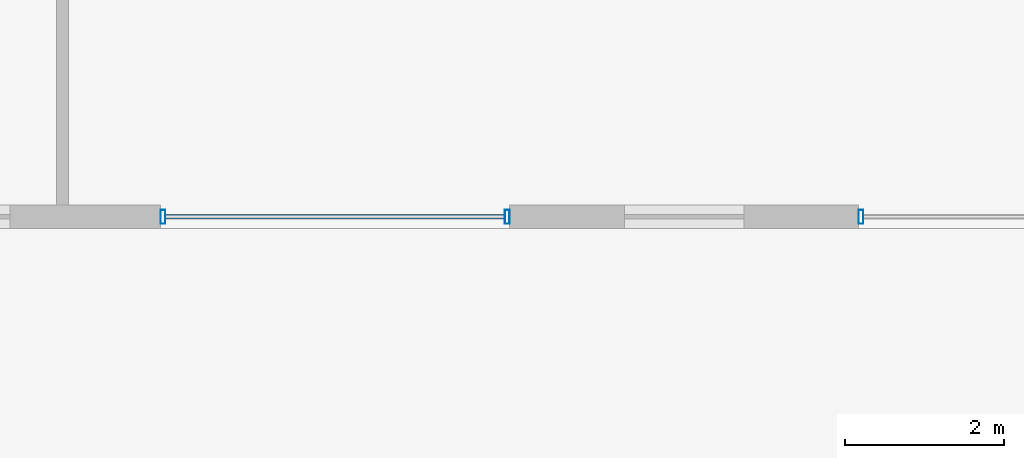
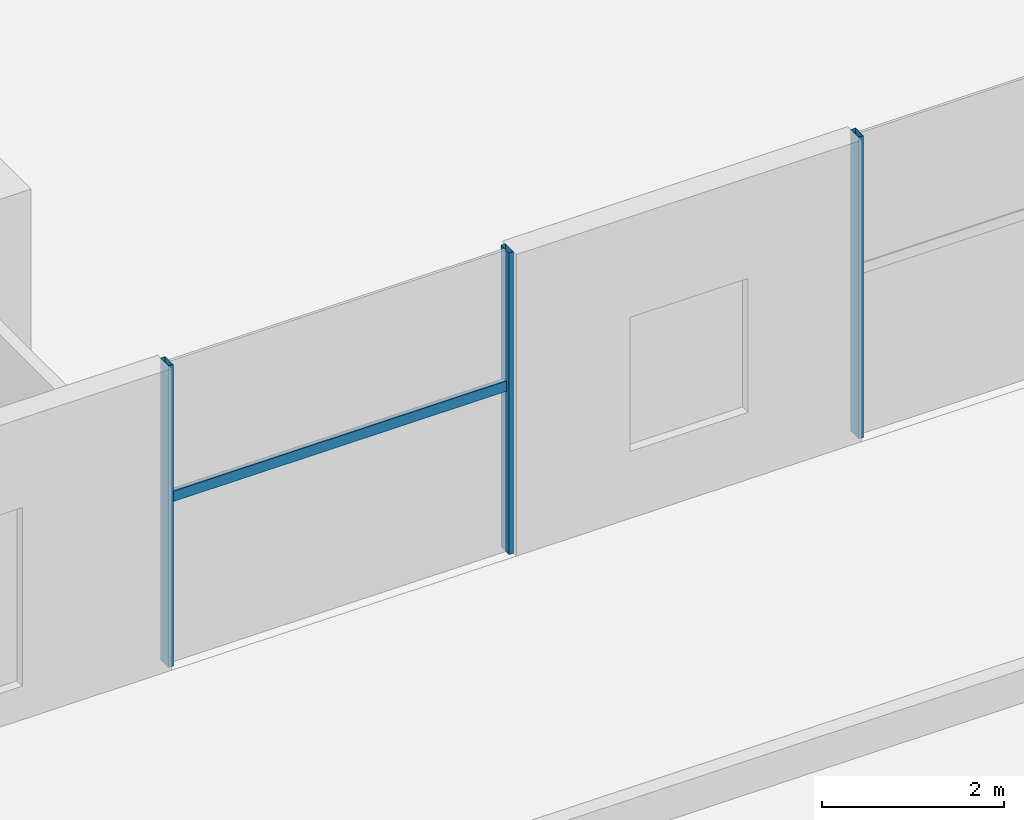
# One storey, part 5 of 26: 4 members, 2 elements without a shape of their own.
"""IFC4 building model written with IfcOpenShell, lengths in metres."""

import ifcopenshell
import ifcopenshell.guid

model = None  # the IFC model being written
_history = None  # IfcOwnerHistory: only IFC2X3 demands one
_inside = {}  # id of a spatial element -> (the spatial element, [elements in it])
_under = {}  # id of a project, library or spatial element -> (it, [spatial elements below it])
_declared = {}  # id of a project -> (the project, [libraries it declares])
_typed = {}  # id of a type object -> (the type object, [elements of that type])
_made_of = {}  # id of a material, layer set ... -> (it, [elements and type objects made of it])


def new_model(schema):
    """Start an empty IFC model of exactly this schema.

    Asked for "IFC4X3", IfcOpenShell would pick the latest addendum, in which some entities
    have other attributes; the version numbers below select the first issue.
    IFC2X3 requires an IfcOwnerHistory on every rooted entity: one is made here for all.
    """
    global model, _history
    if schema == "IFC4X3":
        model = ifcopenshell.file(schema_version=(4, 3, 0, 0))
    else:
        model = ifcopenshell.file(schema=schema)
    _inside.clear()
    _under.clear()
    _declared.clear()
    _typed.clear()
    _made_of.clear()
    _history = None
    if model.schema == "IFC2X3":
        org = make("IfcOrganization", Name="unknown")
        user = make(
            "IfcPersonAndOrganization",
            ThePerson=make("IfcPerson", FamilyName="unknown"),
            TheOrganization=org,
        )
        app = make(
            "IfcApplication",
            ApplicationDeveloper=org,
            Version="unknown",
            ApplicationFullName="unknown",
            ApplicationIdentifier="unknown",
        )
        _history = make(
            "IfcOwnerHistory",
            OwningUser=user,
            OwningApplication=app,
            ChangeAction="ADDED",
            CreationDate=0,
        )
    return model


def make(cls, **values):
    """One entity of the class cls with the attributes given. An attribute that is None is left unset."""
    return model.create_entity(
        cls, **{name: value for name, value in values.items() if value is not None}
    )


def rooted(cls, **values):
    """An entity with a GlobalId (a new one), such as an element, a storey or a relation."""
    return make(cls, GlobalId=ifcopenshell.guid.new(), OwnerHistory=_history, **values)


def si_unit(unit_type, name, prefix=None):
    """IfcSIUnit, for example si_unit("LENGTHUNIT", "METRE", prefix="MILLI")."""
    return make("IfcSIUnit", UnitType=unit_type, Prefix=prefix, Name=name)


def assignment(units):
    """IfcUnitAssignment: the units of a project."""
    return None if units is None else make("IfcUnitAssignment", Units=units)


def point(xyz):
    """IfcCartesianPoint."""
    return None if xyz is None else make("IfcCartesianPoint", Coordinates=xyz)


def direction(xyz):
    """IfcDirection."""
    return None if xyz is None else make("IfcDirection", DirectionRatios=xyz)


def frame(location, z_axis=None, x_axis=None):
    """IfcAxis2Placement3D, a coordinate frame: its origin and axes. An axis left out is left unset."""
    return make(
        "IfcAxis2Placement3D",
        Location=point(location),
        Axis=direction(z_axis),
        RefDirection=direction(x_axis),
    )


def frame_2d(location, x_axis=None):
    """IfcAxis2Placement2D, a coordinate frame in the plane: its origin and x axis."""
    return make(
        "IfcAxis2Placement2D", Location=point(location), RefDirection=direction(x_axis)
    )


def origin():
    """The frame at (0, 0, 0) with its axes left unset."""
    return frame((0.0, 0.0, 0.0))


def origin_2d():
    """The frame at (0, 0) in the plane with its x axis left unset."""
    return frame_2d((0.0, 0.0))


def place(relative_to, where):
    """IfcLocalPlacement: puts the frame where relative to a parent placement (None: the world)."""
    return make(
        "IfcLocalPlacement", PlacementRelTo=relative_to, RelativePlacement=where
    )


def context(
    kind, dimensions, precision=None, world=None, true_north=None, identifier=None
):
    """IfcGeometricRepresentationContext, for example the 3D "Model" context."""
    return make(
        "IfcGeometricRepresentationContext",
        ContextIdentifier=identifier,
        ContextType=kind,
        CoordinateSpaceDimension=dimensions,
        Precision=precision,
        WorldCoordinateSystem=world,
        TrueNorth=true_north,
    )


def subcontext(parent, identifier, kind, view, scale=None):
    """IfcGeometricRepresentationSubContext, for example "Body" below "Model"."""
    return make(
        "IfcGeometricRepresentationSubContext",
        ContextIdentifier=identifier,
        ContextType=kind,
        ParentContext=parent,
        TargetScale=scale,
        TargetView=view,
    )


def project(units=None, contexts=None):
    """IfcProject with its units and contexts."""
    return rooted(
        "IfcProject",
        Name="project",
        RepresentationContexts=contexts,
        UnitsInContext=assignment(units),
    )


def spatial(cls, under=None, at=None, **own):
    """A site, building, storey or space (cls), placed at a placement, below another one or the project."""
    s = rooted(cls, ObjectPlacement=at, **own)
    if under is not None:
        _under.setdefault(under.id(), (under, []))[1].append(s)
    return s


def profile(cls, at=None, kind="AREA", **sizes):
    """A parametric profile (cls). Its sizes go by their IFC names, for example OverallWidth=200.0."""
    return make(cls, ProfileType=kind, Position=at, **sizes)


def hollow_rectangle(**sizes):
    """IfcRectangleHollowProfileDef."""
    return profile("IfcRectangleHollowProfileDef", **sizes)


def extrude(swept, where, along, depth):
    """IfcExtrudedAreaSolid: the profile swept, set in the frame where, extruded along a direction by depth."""
    return make(
        "IfcExtrudedAreaSolid",
        SweptArea=swept,
        Position=where,
        ExtrudedDirection=direction(along),
        Depth=depth,
    )


def shape(context_of_items, identifier, shape_type, items):
    """IfcShapeRepresentation: the items that make up one representation, for example the "Body"."""
    return make(
        "IfcShapeRepresentation",
        ContextOfItems=context_of_items,
        RepresentationIdentifier=identifier,
        RepresentationType=shape_type,
        Items=items,
    )


def material(Name=None, Category=None):
    """IfcMaterial."""
    return make("IfcMaterial", Name=Name, Category=Category)


def material_profile(
    of_material, cross_section, Name=None, Category=None, Priority=None
):
    """IfcMaterialProfile: a cross section and its material."""
    return make(
        "IfcMaterialProfile",
        Name=Name,
        Material=of_material,
        Profile=cross_section,
        Priority=Priority,
        Category=Category,
    )


def profile_set(profiles, Name=None, composite=None):
    """IfcMaterialProfileSet."""
    return make(
        "IfcMaterialProfileSet",
        Name=Name,
        MaterialProfiles=profiles,
        CompositeProfile=composite,
    )


def made_of(thing, what):
    """Note that an element or type object is made of a material, layer set ...; save() writes the relation."""
    if what is not None:
        _made_of.setdefault(what.id(), (what, []))[1].append(thing)
    return thing


def type_object(cls, material=None, **own):
    """A type object (cls), such as IfcWallType, which elements share."""
    return made_of(rooted(cls, **own), material)


def element(
    cls,
    number,
    at=None,
    inside=None,
    cuts=None,
    type_object=None,
    material=None,
    context=None,
    identifier="Body",
    shape_type=None,
    held_by="IfcProductDefinitionShape",
    body=None,
    shapes=None,
    **own,
):
    """One element of the class cls, such as IfcWall. Its Tag is "e" and its number.

    at: its placement. inside: the storey or other place that contains it. cuts: it is an
    opening in that element (IfcRelVoidsElement). A single representation is given by context,
    identifier, shape_type and body (its items); several are given by shapes. held_by: the class
    of the entity that holds the representations. save() writes the other relations.
    """
    e = rooted(cls, Tag="e%d" % number, ObjectPlacement=at, **own)
    if body is not None:
        shapes = [shape(context, identifier, shape_type, body)]
    if shapes is not None:
        e.Representation = make(held_by, Representations=shapes)
    if inside is not None:
        _inside.setdefault(inside.id(), (inside, []))[1].append(e)
    if cuts is not None:
        rooted(
            "IfcRelVoidsElement", RelatingBuildingElement=cuts, RelatedOpeningElement=e
        )
    if type_object is not None:
        _typed.setdefault(type_object.id(), (type_object, []))[1].append(e)
    return made_of(e, material)


def aggregate(whole, parts):
    """IfcRelAggregates: a whole, such as a stair, and the parts it consists of."""
    return rooted("IfcRelAggregates", RelatingObject=whole, RelatedObjects=parts)


def save(model, path):
    """Write the relations noted so far, then the file.

    IfcRelAggregates (storeys below a building ...), IfcRelContainedInSpatialStructure (elements
    in a storey), IfcRelDefinesByType, IfcRelAssociatesMaterial and IfcRelDeclares: one each for
    every whole, place, type object, material and project.
    """
    for whole, parts in _under.values():
        aggregate(whole, parts)
    for where, things in _inside.values():
        rooted(
            "IfcRelContainedInSpatialStructure",
            RelatedElements=things,
            RelatingStructure=where,
        )
    for kind, things in _typed.values():
        rooted("IfcRelDefinesByType", RelatedObjects=things, RelatingType=kind)
    for what, things in _made_of.values():
        rooted("IfcRelAssociatesMaterial", RelatedObjects=things, RelatingMaterial=what)
    for by, libraries in _declared.values():
        rooted("IfcRelDeclares", RelatingContext=by, RelatedDefinitions=libraries)
    model.write(path)


model = new_model("IFC4")

# Units and contexts
model_context = context("Model", 3, precision=1e-05, world=origin(), true_north=direction((0.0, 1.0)))
body_context = subcontext(model_context, "Body", "Model", "MODEL_VIEW")
ifc_project = project(units=[si_unit("LENGTHUNIT", "METRE"), si_unit("AREAUNIT", "SQUARE_METRE"), si_unit("VOLUMEUNIT", "CUBIC_METRE"), si_unit("PLANEANGLEUNIT", "RADIAN"), si_unit("MASSUNIT", "GRAM", prefix="KILO")], contexts=[model_context])

# Site, building, storey
site_placement = place(None, origin())
site = spatial("IfcSite", under=ifc_project, at=site_placement, CompositionType="ELEMENT")
building_placement = place(site_placement, origin())
building = spatial("IfcBuilding", under=site, at=building_placement, Name="Altepetl Exchange Towers", CompositionType="ELEMENT")
storey_placement = place(building_placement, frame((0.0, 0.0, 16.5)))
storey = spatial("IfcBuildingStorey", under=building, at=storey_placement, Name="L03 Podium terrace", CompositionType="ELEMENT", Elevation=16.5)

# Curtain wall, members
ifc_material_1 = material(Name="Aluminium 6063-T6 glazing", Category="aluminium")
curtain_wall_type = type_object("IfcCurtainWallType", Name="Podium storefront system", PredefinedType="NOTDEFINED", material=ifc_material_1)
curtain_wall_1_placement = place(storey_placement, origin())
curtain_wall_1 = element("IfcCurtainWall", 1, at=curtain_wall_1_placement, inside=storey, type_object=curtain_wall_type, Name="CW5 run", PredefinedType="NOTDEFINED")
ifc_material_2 = material(Name="Aluminium 6063-T6", Category="aluminium")
ifc_material_profile_1 = material_profile(ifc_material_2, hollow_rectangle(XDim=0.06005859375, YDim=0.175048828125, WallThickness=0.0029296875, at=origin_2d()), Name="Mullion 60x175 aluminium")
ifc_profile_set_1 = profile_set([ifc_material_profile_1], Name="Aluminium 6063-T6")
member_type_1 = type_object("IfcMemberType", Name="Mullion 60x175 aluminium", PredefinedType="MULLION", material=ifc_profile_set_1)
member_1_placement = place(storey_placement, frame((73.263427734375, 27.14990234375, 0.0)))
member_1 = element("IfcMember", 2, at=member_1_placement, type_object=member_type_1, Name="MU4 mullion", PredefinedType="MULLION", context=body_context, shape_type="SweptSolid", body=[
    extrude(hollow_rectangle(XDim=0.06005859375, YDim=0.175048828125, WallThickness=0.0029296875, at=origin_2d()), origin(), (0.0, 0.0, 1.0), 4.050048828125),
])
member_2_placement = place(storey_placement, frame((77.586669921875, 27.14990234375, 0.0)))
member_2 = element("IfcMember", 3, at=member_2_placement, type_object=member_type_1, Name="MU4 mullion", PredefinedType="MULLION", context=body_context, shape_type="SweptSolid", body=[
    extrude(hollow_rectangle(XDim=0.06005859375, YDim=0.175048828125, WallThickness=0.0029296875, at=origin_2d()), origin(), (0.0, 0.0, 1.0), 4.050048828125),
])

# Curtain wall, member
curtain_wall_2_placement = place(storey_placement, origin())
curtain_wall_2 = element("IfcCurtainWall", 4, at=curtain_wall_2_placement, inside=storey, type_object=curtain_wall_type, Name="CW5 run", PredefinedType="NOTDEFINED")
member_3_placement = place(storey_placement, frame((82.030029296875, 27.14990234375, 0.0)))
member_3 = element("IfcMember", 5, at=member_3_placement, type_object=member_type_1, Name="MU4 mullion", PredefinedType="MULLION", context=body_context, shape_type="SweptSolid", body=[
    extrude(hollow_rectangle(XDim=0.06005859375, YDim=0.175048828125, WallThickness=0.0029296875, at=origin_2d()), origin(), (0.0, 0.0, 1.0), 4.050048828125),
])
aggregate(curtain_wall_2, [member_3])

# Member
ifc_material_profile_2 = material_profile(ifc_material_2, hollow_rectangle(XDim=0.06005859375, YDim=0.139892578125, WallThickness=0.0029296875, at=origin_2d()), Name="Transom 60x140 aluminium")
ifc_profile_set_2 = profile_set([ifc_material_profile_2], Name="Aluminium 6063-T6")
member_type_2 = type_object("IfcMemberType", Name="Transom 60x140 aluminium", PredefinedType="USERDEFINED", material=ifc_profile_set_2)
member_4_placement = place(storey_placement, frame((73.293212890625, 27.14990234375, 2.22998046875), z_axis=(1.0, 0.0, 0.0), x_axis=(0.0, 1.0, 0.0)))
member_4 = element("IfcMember", 6, at=member_4_placement, type_object=member_type_2, Name="TR3 transom", ObjectType="TRANSOM", PredefinedType="USERDEFINED", context=body_context, shape_type="SweptSolid", body=[
    extrude(hollow_rectangle(XDim=0.06005859375, YDim=0.139892578125, WallThickness=0.0029296875, at=origin_2d()), origin(), (0.0, 0.0, 1.0), 4.263427734375),
])

aggregate(curtain_wall_1, [member_1, member_2, member_4])

save(model, "model.ifc")
